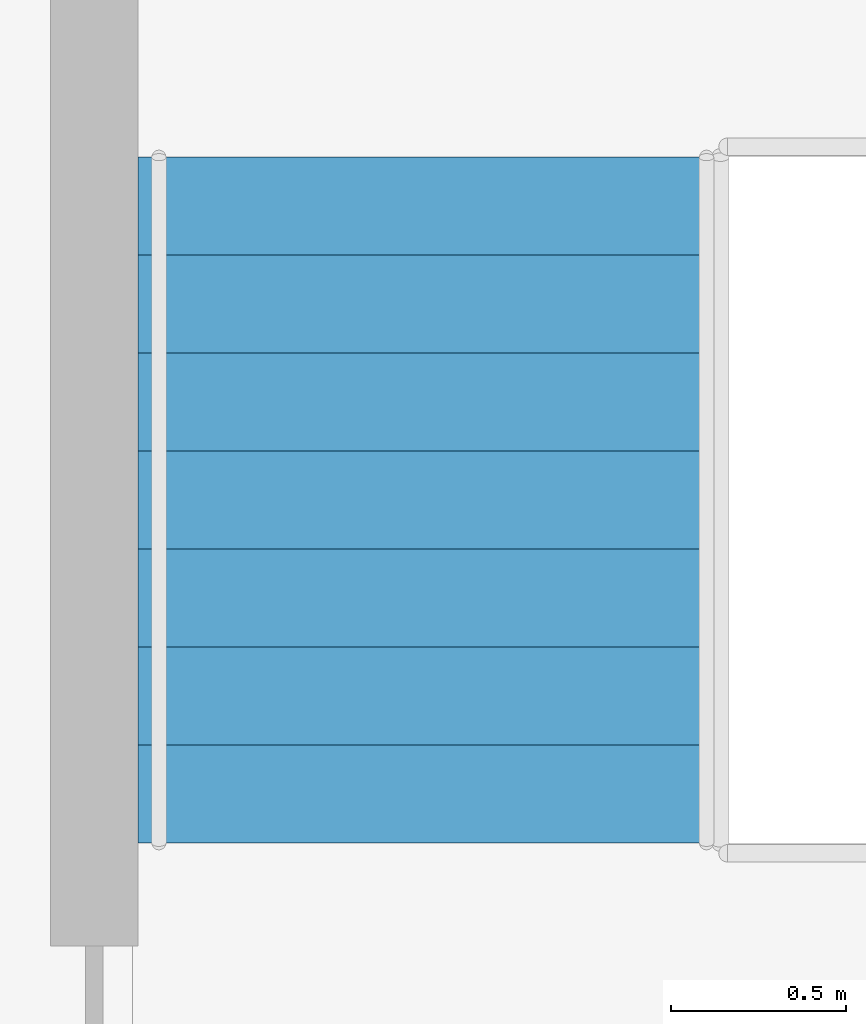
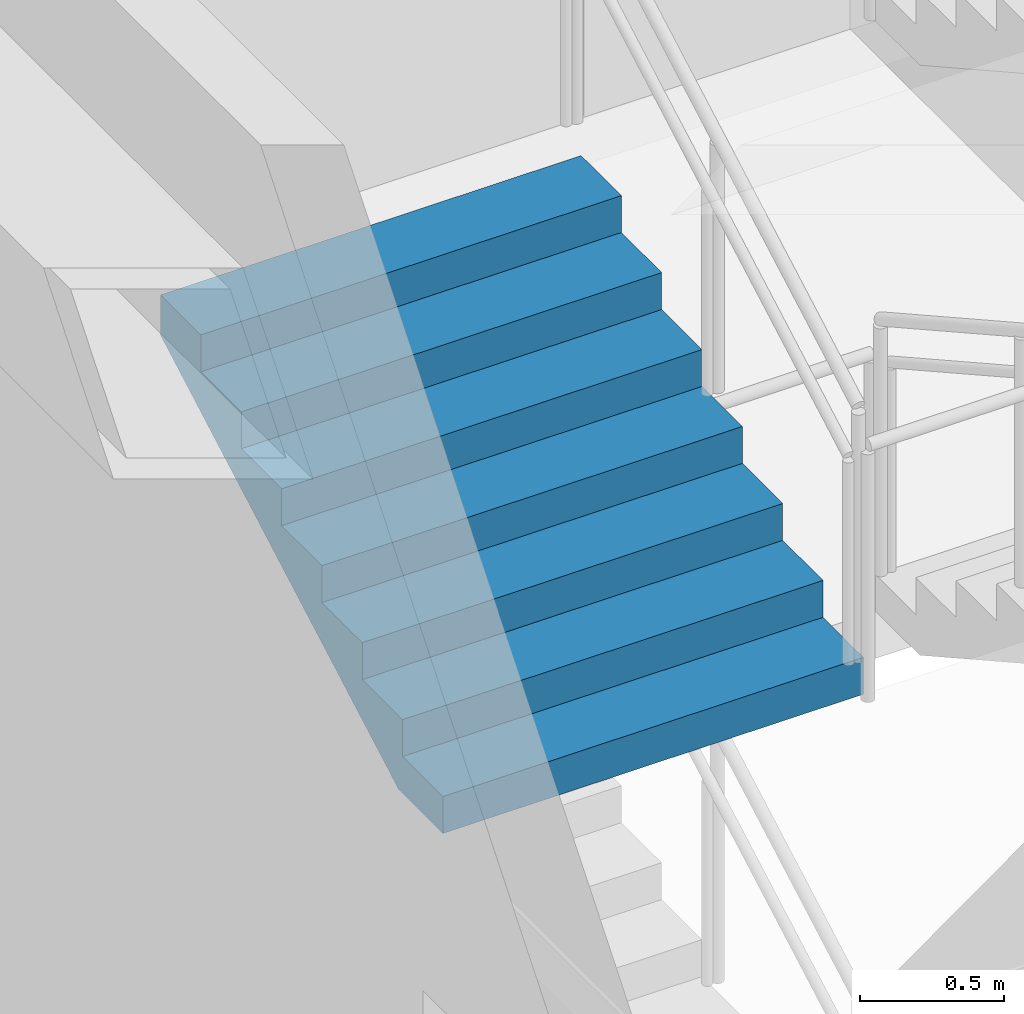
# One storey, part 29 of 37: 1 stair flight, 1 element without a shape of its own.
"""IFC4 building model written with IfcOpenShell, lengths in metres."""

from ifc_helpers import new_model, si_unit, direction, frame, origin, place, context, subcontext, project, spatial, triangles, material, type_object, element, aggregate, save


model = new_model("IFC4")

# Units and contexts
model_context = context("Model", 3, precision=1e-05, world=origin(), true_north=direction((0.0, 1.0)))
body_context = subcontext(model_context, "Body", "Model", "MODEL_VIEW")
ifc_project = project(units=[si_unit("LENGTHUNIT", "METRE"), si_unit("AREAUNIT", "SQUARE_METRE"), si_unit("VOLUMEUNIT", "CUBIC_METRE"), si_unit("PLANEANGLEUNIT", "RADIAN"), si_unit("MASSUNIT", "GRAM", prefix="KILO")], contexts=[model_context])

# Site, building, storey
site_placement = place(None, origin())
site = spatial("IfcSite", under=ifc_project, at=site_placement, CompositionType="ELEMENT")
building_placement = place(site_placement, origin())
building = spatial("IfcBuilding", under=site, at=building_placement, Name="Orbita Commons", CompositionType="ELEMENT")
storey_placement = place(building_placement, frame((0.0, 0.0, 6.0)))
storey = spatial("IfcBuildingStorey", under=building, at=storey_placement, Name="L01", CompositionType="ELEMENT", Elevation=6.0)

# Stair, stair flight
ifc_material_1 = material(Name="Precast concrete C40/50", Category="concrete")
stair_type = type_object("IfcStairType", Name="Podium exit stair 4 flights 8 risers 156", PredefinedType="HALF_TURN_STAIR", material=ifc_material_1)
stair_placement = place(storey_placement, origin())
stair = element("IfcStair", 1, at=stair_placement, inside=storey, type_object=stair_type, Name="Podium exit stair PS1 L01", PredefinedType="HALF_TURN_STAIR")
ifc_material_2 = material(Name="Precast concrete C40/50", Category="concrete")
stair_flight_type = type_object("IfcStairFlightType", Name="Podium stair flight 8 risers 156 x 1685", PredefinedType="STRAIGHT", material=ifc_material_2)
stair_flight_placement = place(storey_placement, frame((7.5673828125, 29.820068359375, 2.5), z_axis=(0.0, 0.0, 1.0), x_axis=(0.0, 1.0, 0.0)))
stair_flight = element("IfcStairFlight", 2, at=stair_flight_placement, type_object=stair_flight_type, Name="PS1 flight 3", NumberOfRisers=8, NumberOfTreads=7, PredefinedType="STRAIGHT", RiserHeight=0.15625, TreadLength=0.28, context=body_context, shape_type="Tessellation", body=[
    triangles([(0.0, 0.842529, 0.0), (0.0, 0.842529, 0.019531), (0.0, 0.702108, 0.019531), (0.0, 0.702108, 0.0), (0.0, 0.561686, 0.019531), (0.0, 0.561686, 0.0), (0.0, 0.421265, 0.019531), (0.0, 0.421265, 0.0), (0.0, 0.280843, 0.019531), (0.0, 0.280843, 0.0), (0.0, 0.140422, 0.019531), (0.0, 0.140422, 0.0), (0.0, 0.0, 0.019531), (0.0, 0.0, 0.0), (0.0, -0.140422, 0.019531), (0.0, -0.140422, 0.0), (0.0, -0.280843, 0.019531), (0.0, -0.280843, 0.0), (0.0, -0.421265, 0.019531), (0.0, -0.421265, 0.0), (0.0, -0.561686, 0.019531), (0.0, -0.561686, 0.0), (0.0, -0.702108, 0.019531), (0.0, -0.702108, 0.0), (0.0, -0.842529, 0.019531), (0.0, -0.842529, 0.0), (0.0, 0.842529, 0.039062), (0.0, 0.702108, 0.039062), (0.0, 0.561686, 0.039062), (0.0, 0.421265, 0.039062), (0.0, 0.280843, 0.039062), (0.0, 0.140422, 0.039062), (0.0, 0.0, 0.039062), (0.0, -0.140422, 0.039062), (0.0, -0.280843, 0.039062), (0.0, -0.421265, 0.039062), (0.0, -0.561686, 0.039062), (0.0, -0.702108, 0.039062), (0.0, -0.842529, 0.039062), (0.0, 0.842529, 0.058594), (0.0, 0.702108, 0.058594), (0.0, 0.561686, 0.058594), (0.0, 0.421265, 0.058594), (0.0, 0.280843, 0.058594), (0.0, 0.140422, 0.058594), (0.0, 0.0, 0.058594), (0.0, -0.140422, 0.058594), (0.0, -0.280843, 0.058594), (0.0, -0.421265, 0.058594), (0.0, -0.561686, 0.058594), (0.0, -0.702108, 0.058594), (0.0, -0.842529, 0.058594), (0.0, 0.842529, 0.078125), (0.0, 0.702108, 0.078125), (0.0, 0.561686, 0.078125), (0.0, 0.421265, 0.078125), (0.0, 0.280843, 0.078125), (0.0, 0.140422, 0.078125), (0.0, 0.0, 0.078125), (0.0, -0.140422, 0.078125), (0.0, -0.280843, 0.078125), (0.0, -0.421265, 0.078125), (0.0, -0.561686, 0.078125), (0.0, -0.702108, 0.078125), (0.0, -0.842529, 0.078125), (0.0, 0.842529, 0.097656), (0.0, 0.702108, 0.097656), (0.0, 0.561686, 0.097656), (0.0, 0.421265, 0.097656), (0.0, 0.280843, 0.097656), (0.0, 0.140422, 0.097656), (0.0, 0.0, 0.097656), (0.0, -0.140422, 0.097656), (0.0, -0.280843, 0.097656), (0.0, -0.421265, 0.097656), (0.0, -0.561686, 0.097656), (0.0, -0.702108, 0.097656), (0.0, -0.842529, 0.097656), (0.0, 0.842529, 0.117188), (0.0, 0.702108, 0.117188), (0.0, 0.561686, 0.117188), (0.0, 0.421265, 0.117188), (0.0, 0.280843, 0.117188), (0.0, 0.140422, 0.117188), (0.0, 0.0, 0.117188), (0.0, -0.140422, 0.117188), (0.0, -0.280843, 0.117188), (0.0, -0.421265, 0.117188), (0.0, -0.561686, 0.117188), (0.0, -0.702108, 0.117188), (0.0, -0.842529, 0.117188), (0.0, 0.842529, 0.136719), (0.0, 0.702108, 0.136719), (0.0, 0.561686, 0.136719), (0.0, 0.421265, 0.136719), (0.0, 0.280843, 0.136719), (0.0, 0.140422, 0.136719), (0.0, 0.0, 0.136719), (0.0, -0.140422, 0.136719), (0.0, -0.280843, 0.136719), (0.0, -0.421265, 0.136719), (0.0, -0.561686, 0.136719), (0.0, -0.702108, 0.136719), (0.0, -0.842529, 0.136719), (0.0, 0.842529, 0.15625), (0.0, 0.702108, 0.15625), (0.0, 0.561686, 0.15625), (0.0, 0.421265, 0.15625), (0.0, 0.280843, 0.15625), (0.0, 0.140422, 0.15625), (0.0, 0.0, 0.15625), (0.0, -0.140422, 0.15625), (0.0, -0.280843, 0.15625), (0.0, -0.421265, 0.15625), (0.0, -0.561686, 0.15625), (0.0, -0.702108, 0.15625), (0.0, -0.842529, 0.15625), (0.28, 0.842529, 0.15625), (0.28, 0.702108, 0.15625), (0.28, 0.561686, 0.15625), (0.28, 0.421265, 0.15625), (0.28, 0.280843, 0.15625), (0.28, 0.140422, 0.15625), (0.28, 0.0, 0.15625), (0.28, -0.140422, 0.15625), (0.28, -0.280843, 0.15625), (0.28, -0.421265, 0.15625), (0.28, -0.561686, 0.15625), (0.28, -0.702108, 0.15625), (0.28, -0.842529, 0.15625), (0.28, 0.842529, 0.3125), (0.28, 0.702108, 0.3125), (0.28, 0.561686, 0.3125), (0.28, 0.421265, 0.3125), (0.28, 0.280843, 0.3125), (0.28, 0.140422, 0.3125), (0.28, 0.0, 0.3125), (0.28, -0.140422, 0.3125), (0.28, -0.280843, 0.3125), (0.28, -0.421265, 0.3125), (0.28, -0.561686, 0.3125), (0.28, -0.702108, 0.3125), (0.28, -0.842529, 0.3125), (0.56, 0.842529, 0.3125), (0.56, 0.702108, 0.3125), (0.56, 0.561686, 0.3125), (0.56, 0.421265, 0.3125), (0.56, 0.280843, 0.3125), (0.56, 0.140422, 0.3125), (0.56, 0.0, 0.3125), (0.56, -0.140422, 0.3125), (0.56, -0.280843, 0.3125), (0.56, -0.421265, 0.3125), (0.56, -0.561686, 0.3125), (0.56, -0.702108, 0.3125), (0.56, -0.842529, 0.3125), (0.56, 0.842529, 0.46875), (0.56, 0.702108, 0.46875), (0.56, 0.561686, 0.46875), (0.56, 0.421265, 0.46875), (0.56, 0.280843, 0.46875), (0.56, 0.140422, 0.46875), (0.56, 0.0, 0.46875), (0.56, -0.140422, 0.46875), (0.56, -0.280843, 0.46875), (0.56, -0.421265, 0.46875), (0.56, -0.561686, 0.46875), (0.56, -0.702108, 0.46875), (0.56, -0.842529, 0.46875), (0.84, 0.842529, 0.46875), (0.84, 0.702108, 0.46875), (0.84, 0.561686, 0.46875), (0.84, 0.421265, 0.46875), (0.84, 0.280843, 0.46875), (0.84, 0.140422, 0.46875), (0.84, 0.0, 0.46875), (0.84, -0.140422, 0.46875), (0.84, -0.280843, 0.46875), (0.84, -0.421265, 0.46875), (0.84, -0.561686, 0.46875), (0.84, -0.702108, 0.46875), (0.84, -0.842529, 0.46875), (0.84, 0.842529, 0.625), (0.84, 0.702108, 0.625), (0.84, 0.561686, 0.625), (0.84, 0.421265, 0.625), (0.84, 0.280843, 0.625), (0.84, 0.140422, 0.625), (0.84, 0.0, 0.625), (0.84, -0.140422, 0.625), (0.84, -0.280843, 0.625), (0.84, -0.421265, 0.625), (0.84, -0.561686, 0.625), (0.84, -0.702108, 0.625), (0.84, -0.842529, 0.625), (1.12, 0.842529, 0.625), (1.12, 0.702108, 0.625), (1.12, 0.561686, 0.625), (1.12, 0.421265, 0.625), (1.12, 0.280843, 0.625), (1.12, 0.140422, 0.625), (1.12, 0.0, 0.625), (1.12, -0.140422, 0.625), (1.12, -0.280843, 0.625), (1.12, -0.421265, 0.625), (1.12, -0.561686, 0.625), (1.12, -0.702108, 0.625), (1.12, -0.842529, 0.625), (1.12, 0.842529, 0.78125), (1.12, 0.702108, 0.78125), (1.12, 0.561686, 0.78125), (1.12, 0.421265, 0.78125), (1.12, 0.280843, 0.78125), (1.12, 0.140422, 0.78125), (1.12, 0.0, 0.78125), (1.12, -0.140422, 0.78125), (1.12, -0.280843, 0.78125), (1.12, -0.421265, 0.78125), (1.12, -0.561686, 0.78125), (1.12, -0.702108, 0.78125), (1.12, -0.842529, 0.78125), (1.4, 0.842529, 0.78125), (1.4, 0.702108, 0.78125), (1.4, 0.561686, 0.78125), (1.4, 0.421265, 0.78125), (1.4, 0.280843, 0.78125), (1.4, 0.140422, 0.78125), (1.4, 0.0, 0.78125), (1.4, -0.140422, 0.78125), (1.4, -0.280843, 0.78125), (1.4, -0.421265, 0.78125), (1.4, -0.561686, 0.78125), (1.4, -0.702108, 0.78125), (1.4, -0.842529, 0.78125), (1.4, 0.842529, 0.9375), (1.4, 0.702108, 0.9375), (1.4, 0.561686, 0.9375), (1.4, 0.421265, 0.9375), (1.4, 0.280843, 0.9375), (1.4, 0.140422, 0.9375), (1.4, 0.0, 0.9375), (1.4, -0.140422, 0.9375), (1.4, -0.280843, 0.9375), (1.4, -0.421265, 0.9375), (1.4, -0.561686, 0.9375), (1.4, -0.702108, 0.9375), (1.4, -0.842529, 0.9375), (1.68, 0.842529, 0.9375), (1.68, 0.702108, 0.9375), (1.68, 0.561686, 0.9375), (1.68, 0.421265, 0.9375), (1.68, 0.280843, 0.9375), (1.68, 0.140422, 0.9375), (1.68, 0.0, 0.9375), (1.68, -0.140422, 0.9375), (1.68, -0.280843, 0.9375), (1.68, -0.421265, 0.9375), (1.68, -0.561686, 0.9375), (1.68, -0.702108, 0.9375), (1.68, -0.842529, 0.9375), (1.68, 0.842529, 1.09375), (1.68, 0.702108, 1.09375), (1.68, 0.561686, 1.09375), (1.68, 0.421265, 1.09375), (1.68, 0.280843, 1.09375), (1.68, 0.140422, 1.09375), (1.68, 0.0, 1.09375), (1.68, -0.140422, 1.09375), (1.68, -0.280843, 1.09375), (1.68, -0.421265, 1.09375), (1.68, -0.561686, 1.09375), (1.68, -0.702108, 1.09375), (1.68, -0.842529, 1.09375), (1.96, 0.842529, 1.09375), (1.96, 0.702108, 1.09375), (1.96, 0.561686, 1.09375), (1.96, 0.421265, 1.09375), (1.96, 0.280843, 1.09375), (1.96, 0.140422, 1.09375), (1.96, 0.0, 1.09375), (1.96, -0.140422, 1.09375), (1.96, -0.280843, 1.09375), (1.96, -0.421265, 1.09375), (1.96, -0.561686, 1.09375), (1.96, -0.702108, 1.09375), (1.96, -0.842529, 1.09375), (1.96, 0.842529, 1.072292), (1.96, 0.702108, 1.072292), (1.96, 0.561686, 1.072292), (1.96, 0.421265, 1.072292), (1.96, 0.280843, 1.072292), (1.96, 0.140422, 1.072292), (1.96, 0.0, 1.072292), (1.96, -0.140422, 1.072292), (1.96, -0.280843, 1.072292), (1.96, -0.421265, 1.072292), (1.96, -0.561686, 1.072292), (1.96, -0.702108, 1.072292), (1.96, -0.842529, 1.072292), (1.96, 0.842529, 1.050834), (1.96, 0.702108, 1.050834), (1.96, 0.561686, 1.050834), (1.96, 0.421265, 1.050834), (1.96, 0.280843, 1.050834), (1.96, 0.140422, 1.050834), (1.96, 0.0, 1.050834), (1.96, -0.140422, 1.050834), (1.96, -0.280843, 1.050834), (1.96, -0.421265, 1.050834), (1.96, -0.561686, 1.050834), (1.96, -0.702108, 1.050834), (1.96, -0.842529, 1.050834), (1.96, 0.842529, 1.029376), (1.96, 0.702108, 1.029376), (1.96, 0.561686, 1.029376), (1.96, 0.421265, 1.029376), (1.96, 0.280843, 1.029376), (1.96, 0.140422, 1.029376), (1.96, 0.0, 1.029376), (1.96, -0.140422, 1.029376), (1.96, -0.280843, 1.029376), (1.96, -0.421265, 1.029376), (1.96, -0.561686, 1.029376), (1.96, -0.702108, 1.029376), (1.96, -0.842529, 1.029376), (1.96, 0.842529, 1.007919), (1.96, 0.702108, 1.007919), (1.96, 0.561686, 1.007919), (1.96, 0.421265, 1.007919), (1.96, 0.280843, 1.007919), (1.96, 0.140422, 1.007919), (1.96, 0.0, 1.007919), (1.96, -0.140422, 1.007919), (1.96, -0.280843, 1.007919), (1.96, -0.421265, 1.007919), (1.96, -0.561686, 1.007919), (1.96, -0.702108, 1.007919), (1.96, -0.842529, 1.007919), (1.96, 0.842529, 0.986461), (1.96, 0.702108, 0.986461), (1.96, 0.561686, 0.986461), (1.96, 0.421265, 0.986461), (1.96, 0.280843, 0.986461), (1.96, 0.140422, 0.986461), (1.96, 0.0, 0.986461), (1.96, -0.140422, 0.986461), (1.96, -0.280843, 0.986461), (1.96, -0.421265, 0.986461), (1.96, -0.561686, 0.986461), (1.96, -0.702108, 0.986461), (1.96, -0.842529, 0.986461), (1.96, 0.842529, 0.965003), (1.96, 0.702108, 0.965003), (1.96, 0.561686, 0.965003), (1.96, 0.421265, 0.965003), (1.96, 0.280843, 0.965003), (1.96, 0.140422, 0.965003), (1.96, 0.0, 0.965003), (1.96, -0.140422, 0.965003), (1.96, -0.280843, 0.965003), (1.96, -0.421265, 0.965003), (1.96, -0.561686, 0.965003), (1.96, -0.702108, 0.965003), (1.96, -0.842529, 0.965003), (1.96, 0.842529, 0.943545), (1.96, 0.702108, 0.943545), (1.96, 0.561686, 0.943545), (1.96, 0.421265, 0.943545), (1.96, 0.280843, 0.943545), (1.96, 0.140422, 0.943545), (1.96, 0.0, 0.943545), (1.96, -0.140422, 0.943545), (1.96, -0.280843, 0.943545), (1.96, -0.421265, 0.943545), (1.96, -0.561686, 0.943545), (1.96, -0.702108, 0.943545), (1.96, -0.842529, 0.943545), (1.96, 0.842529, 0.922087), (1.96, 0.702108, 0.922087), (1.96, 0.561686, 0.922087), (1.96, 0.421265, 0.922087), (1.96, 0.280843, 0.922087), (1.96, 0.140422, 0.922087), (1.96, 0.0, 0.922087), (1.96, -0.140422, 0.922087), (1.96, -0.280843, 0.922087), (1.96, -0.421265, 0.922087), (1.96, -0.561686, 0.922087), (1.96, -0.702108, 0.922087), (1.96, -0.842529, 0.922087), (0.30762, 0.842529, 0.0), (0.30762, 0.702108, 0.0), (0.30762, 0.561686, 0.0), (0.30762, 0.421265, 0.0), (0.30762, 0.280843, 0.0), (0.30762, 0.140422, 0.0), (0.30762, 0.0, 0.0), (0.30762, -0.140422, 0.0), (0.30762, -0.280843, 0.0), (0.30762, -0.421265, 0.0), (0.30762, -0.561686, 0.0), (0.30762, -0.702108, 0.0), (0.30762, -0.842529, 0.0)], [[3, 2, 1], [4, 3, 1], [5, 3, 4], [6, 5, 4], [7, 5, 6], [8, 7, 6], [9, 7, 8], [10, 9, 8], [11, 9, 10], [12, 11, 10], [13, 11, 12], [14, 13, 12], [15, 13, 14], [16, 15, 14], [17, 15, 16], [18, 17, 16], [19, 17, 18], [20, 19, 18], [21, 19, 20], [22, 21, 20], [23, 21, 22], [24, 23, 22], [25, 23, 24], [26, 25, 24], [28, 27, 2], [3, 28, 2], [29, 28, 3], [5, 29, 3], [30, 29, 5], [7, 30, 5], [31, 30, 7], [9, 31, 7], [32, 31, 9], [11, 32, 9], [33, 32, 11], [13, 33, 11], [34, 33, 13], [15, 34, 13], [35, 34, 15], [17, 35, 15], [36, 35, 17], [19, 36, 17], [37, 36, 19], [21, 37, 19], [38, 37, 21], [23, 38, 21], [39, 38, 23], [25, 39, 23], [41, 40, 27], [28, 41, 27], [42, 41, 28], [29, 42, 28], [43, 42, 29], [30, 43, 29], [44, 43, 30], [31, 44, 30], [45, 44, 31], [32, 45, 31], [46, 45, 32], [33, 46, 32], [47, 46, 33], [34, 47, 33], [48, 47, 34], [35, 48, 34], [49, 48, 35], [36, 49, 35], [50, 49, 36], [37, 50, 36], [51, 50, 37], [38, 51, 37], [52, 51, 38], [39, 52, 38], [54, 53, 40], [41, 54, 40], [55, 54, 41], [42, 55, 41], [56, 55, 42], [43, 56, 42], [57, 56, 43], [44, 57, 43], [58, 57, 44], [45, 58, 44], [59, 58, 45], [46, 59, 45], [60, 59, 46], [47, 60, 46], [61, 60, 47], [48, 61, 47], [62, 61, 48], [49, 62, 48], [63, 62, 49], [50, 63, 49], [64, 63, 50], [51, 64, 50], [65, 64, 51], [52, 65, 51], [67, 66, 53], [54, 67, 53], [68, 67, 54], [55, 68, 54], [69, 68, 55], [56, 69, 55], [70, 69, 56], [57, 70, 56], [71, 70, 57], [58, 71, 57], [72, 71, 58], [59, 72, 58], [73, 72, 59], [60, 73, 59], [74, 73, 60], [61, 74, 60], [75, 74, 61], [62, 75, 61], [76, 75, 62], [63, 76, 62], [77, 76, 63], [64, 77, 63], [78, 77, 64], [65, 78, 64], [80, 79, 66], [67, 80, 66], [81, 80, 67], [68, 81, 67], [82, 81, 68], [69, 82, 68], [83, 82, 69], [70, 83, 69], [84, 83, 70], [71, 84, 70], [85, 84, 71], [72, 85, 71], [86, 85, 72], [73, 86, 72], [87, 86, 73], [74, 87, 73], [88, 87, 74], [75, 88, 74], [89, 88, 75], [76, 89, 75], [90, 89, 76], [77, 90, 76], [91, 90, 77], [78, 91, 77], [93, 92, 79], [80, 93, 79], [94, 93, 80], [81, 94, 80], [95, 94, 81], [82, 95, 81], [96, 95, 82], [83, 96, 82], [97, 96, 83], [84, 97, 83], [98, 97, 84], [85, 98, 84], [99, 98, 85], [86, 99, 85], [100, 99, 86], [87, 100, 86], [101, 100, 87], [88, 101, 87], [102, 101, 88], [89, 102, 88], [103, 102, 89], [90, 103, 89], [104, 103, 90], [91, 104, 90], [106, 105, 92], [93, 106, 92], [107, 106, 93], [94, 107, 93], [108, 107, 94], [95, 108, 94], [109, 108, 95], [96, 109, 95], [110, 109, 96], [97, 110, 96], [111, 110, 97], [98, 111, 97], [112, 111, 98], [99, 112, 98], [113, 112, 99], [100, 113, 99], [114, 113, 100], [101, 114, 100], [115, 114, 101], [102, 115, 101], [116, 115, 102], [103, 116, 102], [117, 116, 103], [104, 117, 103], [119, 118, 105], [106, 119, 105], [120, 119, 106], [107, 120, 106], [121, 120, 107], [108, 121, 107], [122, 121, 108], [109, 122, 108], [123, 122, 109], [110, 123, 109], [124, 123, 110], [111, 124, 110], [125, 124, 111], [112, 125, 111], [126, 125, 112], [113, 126, 112], [127, 126, 113], [114, 127, 113], [128, 127, 114], [115, 128, 114], [129, 128, 115], [116, 129, 115], [130, 129, 116], [117, 130, 116], [132, 131, 118], [119, 132, 118], [133, 132, 119], [120, 133, 119], [134, 133, 120], [121, 134, 120], [135, 134, 121], [122, 135, 121], [136, 135, 122], [123, 136, 122], [137, 136, 123], [124, 137, 123], [138, 137, 124], [125, 138, 124], [139, 138, 125], [126, 139, 125], [140, 139, 126], [127, 140, 126], [141, 140, 127], [128, 141, 127], [142, 141, 128], [129, 142, 128], [143, 142, 129], [130, 143, 129], [145, 144, 131], [132, 145, 131], [146, 145, 132], [133, 146, 132], [147, 146, 133], [134, 147, 133], [148, 147, 134], [135, 148, 134], [149, 148, 135], [136, 149, 135], [150, 149, 136], [137, 150, 136], [151, 150, 137], [138, 151, 137], [152, 151, 138], [139, 152, 138], [153, 152, 139], [140, 153, 139], [154, 153, 140], [141, 154, 140], [155, 154, 141], [142, 155, 141], [156, 155, 142], [143, 156, 142], [158, 157, 144], [145, 158, 144], [159, 158, 145], [146, 159, 145], [160, 159, 146], [147, 160, 146], [161, 160, 147], [148, 161, 147], [162, 161, 148], [149, 162, 148], [163, 162, 149], [150, 163, 149], [164, 163, 150], [151, 164, 150], [165, 164, 151], [152, 165, 151], [166, 165, 152], [153, 166, 152], [167, 166, 153], [154, 167, 153], [168, 167, 154], [155, 168, 154], [169, 168, 155], [156, 169, 155], [171, 170, 157], [158, 171, 157], [172, 171, 158], [159, 172, 158], [173, 172, 159], [160, 173, 159], [174, 173, 160], [161, 174, 160], [175, 174, 161], [162, 175, 161], [176, 175, 162], [163, 176, 162], [177, 176, 163], [164, 177, 163], [178, 177, 164], [165, 178, 164], [179, 178, 165], [166, 179, 165], [180, 179, 166], [167, 180, 166], [181, 180, 167], [168, 181, 167], [182, 181, 168], [169, 182, 168], [184, 183, 170], [171, 184, 170], [185, 184, 171], [172, 185, 171], [186, 185, 172], [173, 186, 172], [187, 186, 173], [174, 187, 173], [188, 187, 174], [175, 188, 174], [189, 188, 175], [176, 189, 175], [190, 189, 176], [177, 190, 176], [191, 190, 177], [178, 191, 177], [192, 191, 178], [179, 192, 178], [193, 192, 179], [180, 193, 179], [194, 193, 180], [181, 194, 180], [195, 194, 181], [182, 195, 181], [197, 196, 183], [184, 197, 183], [198, 197, 184], [185, 198, 184], [199, 198, 185], [186, 199, 185], [200, 199, 186], [187, 200, 186], [201, 200, 187], [188, 201, 187], [202, 201, 188], [189, 202, 188], [203, 202, 189], [190, 203, 189], [204, 203, 190], [191, 204, 190], [205, 204, 191], [192, 205, 191], [206, 205, 192], [193, 206, 192], [207, 206, 193], [194, 207, 193], [208, 207, 194], [195, 208, 194], [210, 209, 196], [197, 210, 196], [211, 210, 197], [198, 211, 197], [212, 211, 198], [199, 212, 198], [213, 212, 199], [200, 213, 199], [214, 213, 200], [201, 214, 200], [215, 214, 201], [202, 215, 201], [216, 215, 202], [203, 216, 202], [217, 216, 203], [204, 217, 203], [218, 217, 204], [205, 218, 204], [219, 218, 205], [206, 219, 205], [220, 219, 206], [207, 220, 206], [221, 220, 207], [208, 221, 207], [223, 222, 209], [210, 223, 209], [224, 223, 210], [211, 224, 210], [225, 224, 211], [212, 225, 211], [226, 225, 212], [213, 226, 212], [227, 226, 213], [214, 227, 213], [228, 227, 214], [215, 228, 214], [229, 228, 215], [216, 229, 215], [230, 229, 216], [217, 230, 216], [231, 230, 217], [218, 231, 217], [232, 231, 218], [219, 232, 218], [233, 232, 219], [220, 233, 219], [234, 233, 220], [221, 234, 220], [236, 235, 222], [223, 236, 222], [237, 236, 223], [224, 237, 223], [238, 237, 224], [225, 238, 224], [239, 238, 225], [226, 239, 225], [240, 239, 226], [227, 240, 226], [241, 240, 227], [228, 241, 227], [242, 241, 228], [229, 242, 228], [243, 242, 229], [230, 243, 229], [244, 243, 230], [231, 244, 230], [245, 244, 231], [232, 245, 231], [246, 245, 232], [233, 246, 232], [247, 246, 233], [234, 247, 233], [249, 248, 235], [236, 249, 235], [250, 249, 236], [237, 250, 236], [251, 250, 237], [238, 251, 237], [252, 251, 238], [239, 252, 238], [253, 252, 239], [240, 253, 239], [254, 253, 240], [241, 254, 240], [255, 254, 241], [242, 255, 241], [256, 255, 242], [243, 256, 242], [257, 256, 243], [244, 257, 243], [258, 257, 244], [245, 258, 244], [259, 258, 245], [246, 259, 245], [260, 259, 246], [247, 260, 246], [262, 261, 248], [249, 262, 248], [263, 262, 249], [250, 263, 249], [264, 263, 250], [251, 264, 250], [265, 264, 251], [252, 265, 251], [266, 265, 252], [253, 266, 252], [267, 266, 253], [254, 267, 253], [268, 267, 254], [255, 268, 254], [269, 268, 255], [256, 269, 255], [270, 269, 256], [257, 270, 256], [271, 270, 257], [258, 271, 257], [272, 271, 258], [259, 272, 258], [273, 272, 259], [260, 273, 259], [275, 274, 261], [262, 275, 261], [276, 275, 262], [263, 276, 262], [277, 276, 263], [264, 277, 263], [278, 277, 264], [265, 278, 264], [279, 278, 265], [266, 279, 265], [280, 279, 266], [267, 280, 266], [281, 280, 267], [268, 281, 267], [282, 281, 268], [269, 282, 268], [283, 282, 269], [270, 283, 269], [284, 283, 270], [271, 284, 270], [285, 284, 271], [272, 285, 271], [286, 285, 272], [273, 286, 272], [288, 287, 274], [275, 288, 274], [289, 288, 275], [276, 289, 275], [290, 289, 276], [277, 290, 276], [291, 290, 277], [278, 291, 277], [292, 291, 278], [279, 292, 278], [293, 292, 279], [280, 293, 279], [294, 293, 280], [281, 294, 280], [295, 294, 281], [282, 295, 281], [296, 295, 282], [283, 296, 282], [297, 296, 283], [284, 297, 283], [298, 297, 284], [285, 298, 284], [299, 298, 285], [286, 299, 285], [301, 300, 287], [288, 301, 287], [302, 301, 288], [289, 302, 288], [303, 302, 289], [290, 303, 289], [304, 303, 290], [291, 304, 290], [305, 304, 291], [292, 305, 291], [306, 305, 292], [293, 306, 292], [307, 306, 293], [294, 307, 293], [308, 307, 294], [295, 308, 294], [309, 308, 295], [296, 309, 295], [310, 309, 296], [297, 310, 296], [311, 310, 297], [298, 311, 297], [312, 311, 298], [299, 312, 298], [314, 313, 300], [301, 314, 300], [315, 314, 301], [302, 315, 301], [316, 315, 302], [303, 316, 302], [317, 316, 303], [304, 317, 303], [318, 317, 304], [305, 318, 304], [319, 318, 305], [306, 319, 305], [320, 319, 306], [307, 320, 306], [321, 320, 307], [308, 321, 307], [322, 321, 308], [309, 322, 308], [323, 322, 309], [310, 323, 309], [324, 323, 310], [311, 324, 310], [325, 324, 311], [312, 325, 311], [327, 326, 313], [314, 327, 313], [328, 327, 314], [315, 328, 314], [329, 328, 315], [316, 329, 315], [330, 329, 316], [317, 330, 316], [331, 330, 317], [318, 331, 317], [332, 331, 318], [319, 332, 318], [333, 332, 319], [320, 333, 319], [334, 333, 320], [321, 334, 320], [335, 334, 321], [322, 335, 321], [336, 335, 322], [323, 336, 322], [337, 336, 323], [324, 337, 323], [338, 337, 324], [325, 338, 324], [340, 339, 326], [327, 340, 326], [341, 340, 327], [328, 341, 327], [342, 341, 328], [329, 342, 328], [343, 342, 329], [330, 343, 329], [344, 343, 330], [331, 344, 330], [345, 344, 331], [332, 345, 331], [346, 345, 332], [333, 346, 332], [347, 346, 333], [334, 347, 333], [348, 347, 334], [335, 348, 334], [349, 348, 335], [336, 349, 335], [350, 349, 336], [337, 350, 336], [351, 350, 337], [338, 351, 337], [353, 352, 339], [340, 353, 339], [354, 353, 340], [341, 354, 340], [355, 354, 341], [342, 355, 341], [356, 355, 342], [343, 356, 342], [357, 356, 343], [344, 357, 343], [358, 357, 344], [345, 358, 344], [359, 358, 345], [346, 359, 345], [360, 359, 346], [347, 360, 346], [361, 360, 347], [348, 361, 347], [362, 361, 348], [349, 362, 348], [363, 362, 349], [350, 363, 349], [364, 363, 350], [351, 364, 350], [366, 365, 352], [353, 366, 352], [367, 366, 353], [354, 367, 353], [368, 367, 354], [355, 368, 354], [369, 368, 355], [356, 369, 355], [370, 369, 356], [357, 370, 356], [371, 370, 357], [358, 371, 357], [372, 371, 358], [359, 372, 358], [373, 372, 359], [360, 373, 359], [374, 373, 360], [361, 374, 360], [375, 374, 361], [362, 375, 361], [376, 375, 362], [363, 376, 362], [377, 376, 363], [364, 377, 363], [379, 378, 365], [366, 379, 365], [380, 379, 366], [367, 380, 366], [381, 380, 367], [368, 381, 367], [382, 381, 368], [369, 382, 368], [383, 382, 369], [370, 383, 369], [384, 383, 370], [371, 384, 370], [385, 384, 371], [372, 385, 371], [386, 385, 372], [373, 386, 372], [387, 386, 373], [374, 387, 373], [388, 387, 374], [375, 388, 374], [389, 388, 375], [376, 389, 375], [390, 389, 376], [377, 390, 376], [392, 391, 378], [379, 392, 378], [393, 392, 379], [380, 393, 379], [394, 393, 380], [381, 394, 380], [395, 394, 381], [382, 395, 381], [396, 395, 382], [383, 396, 382], [397, 396, 383], [384, 397, 383], [398, 397, 384], [385, 398, 384], [399, 398, 385], [386, 399, 385], [400, 399, 386], [387, 400, 386], [401, 400, 387], [388, 401, 387], [402, 401, 388], [389, 402, 388], [403, 402, 389], [390, 403, 389], [4, 1, 391], [392, 4, 391], [6, 4, 392], [393, 6, 392], [8, 6, 393], [394, 8, 393], [10, 8, 394], [395, 10, 394], [12, 10, 395], [396, 12, 395], [14, 12, 396], [397, 14, 396], [16, 14, 397], [398, 16, 397], [18, 16, 398], [399, 18, 398], [20, 18, 399], [400, 20, 399], [22, 20, 400], [401, 22, 400], [24, 22, 401], [402, 24, 401], [26, 24, 402], [403, 26, 402], [378, 391, 1], [26, 403, 390], [365, 378, 1], [26, 390, 377], [352, 365, 1], [26, 377, 364], [339, 352, 1], [26, 364, 351], [326, 339, 1], [26, 351, 338], [313, 326, 1], [26, 338, 325], [300, 313, 1], [26, 325, 312], [287, 300, 1], [26, 312, 299], [261, 274, 287], [299, 286, 273], [248, 261, 287], [299, 273, 260], [222, 235, 248], [260, 247, 234], [222, 248, 287], [299, 260, 234], [196, 209, 222], [234, 221, 208], [196, 222, 287], [299, 234, 208], [170, 183, 196], [208, 195, 182], [170, 196, 287], [299, 208, 182], [144, 157, 170], [182, 169, 156], [144, 170, 287], [299, 182, 156], [118, 131, 144], [156, 143, 130], [118, 144, 287], [299, 156, 130], [118, 287, 1], [26, 299, 130], [92, 105, 118], [130, 117, 104], [79, 92, 118], [130, 104, 91], [66, 79, 118], [130, 91, 78], [53, 66, 118], [130, 78, 65], [40, 53, 118], [130, 65, 52], [27, 40, 118], [130, 52, 39], [2, 27, 118], [130, 39, 25], [1, 2, 118], [130, 25, 26]], closed=True),
])
aggregate(stair, [stair_flight])

save(model, "model.ifc")
